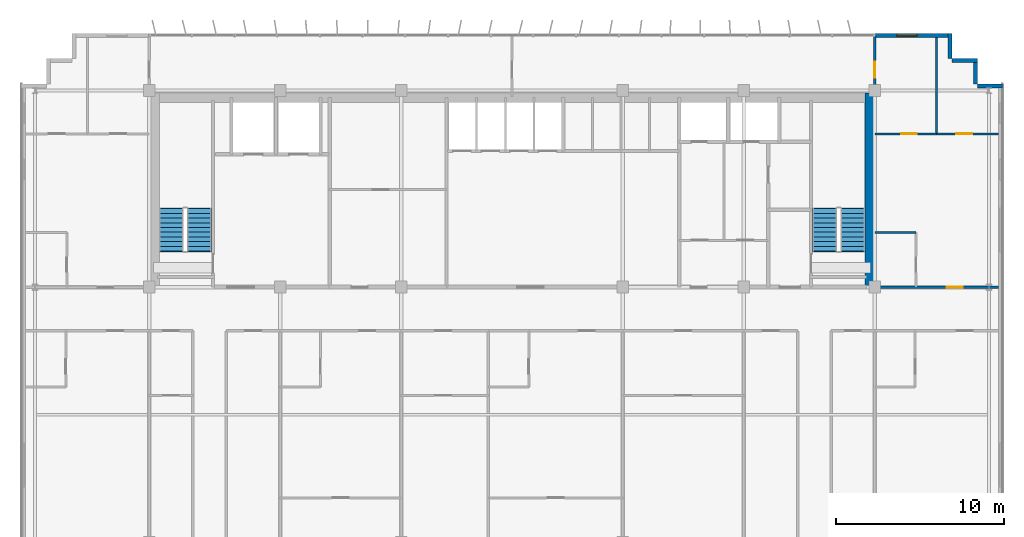
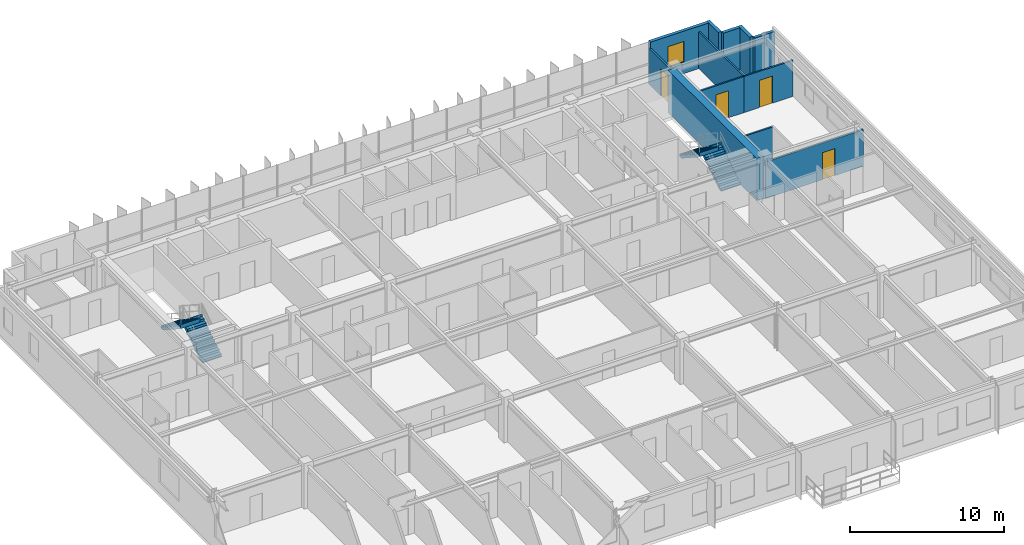
# One storey, part 21 of 23: 12 walls, 4 doors, 4 stair flights, 1 window, 5 openings, 2 elements without a shape of their own.
"""IFC4 building model written with IfcOpenShell, lengths in metres."""

import ifcopenshell
import ifcopenshell.guid

model = None  # the IFC model being written
_history = None  # IfcOwnerHistory: only IFC2X3 demands one
_inside = {}  # id of a spatial element -> (the spatial element, [elements in it])
_under = {}  # id of a project, library or spatial element -> (it, [spatial elements below it])
_declared = {}  # id of a project -> (the project, [libraries it declares])
_typed = {}  # id of a type object -> (the type object, [elements of that type])
_made_of = {}  # id of a material, layer set ... -> (it, [elements and type objects made of it])


def new_model(schema):
    """Start an empty IFC model of exactly this schema.

    Asked for "IFC4X3", IfcOpenShell would pick the latest addendum, in which some entities
    have other attributes; the version numbers below select the first issue.
    IFC2X3 requires an IfcOwnerHistory on every rooted entity: one is made here for all.
    """
    global model, _history
    if schema == "IFC4X3":
        model = ifcopenshell.file(schema_version=(4, 3, 0, 0))
    else:
        model = ifcopenshell.file(schema=schema)
    _inside.clear()
    _under.clear()
    _declared.clear()
    _typed.clear()
    _made_of.clear()
    _history = None
    if model.schema == "IFC2X3":
        org = make("IfcOrganization", Name="unknown")
        user = make(
            "IfcPersonAndOrganization",
            ThePerson=make("IfcPerson", FamilyName="unknown"),
            TheOrganization=org,
        )
        app = make(
            "IfcApplication",
            ApplicationDeveloper=org,
            Version="unknown",
            ApplicationFullName="unknown",
            ApplicationIdentifier="unknown",
        )
        _history = make(
            "IfcOwnerHistory",
            OwningUser=user,
            OwningApplication=app,
            ChangeAction="ADDED",
            CreationDate=0,
        )
    return model


def make(cls, **values):
    """One entity of the class cls with the attributes given. An attribute that is None is left unset."""
    return model.create_entity(
        cls, **{name: value for name, value in values.items() if value is not None}
    )


def rooted(cls, **values):
    """An entity with a GlobalId (a new one), such as an element, a storey or a relation."""
    return make(cls, GlobalId=ifcopenshell.guid.new(), OwnerHistory=_history, **values)


def si_unit(unit_type, name, prefix=None):
    """IfcSIUnit, for example si_unit("LENGTHUNIT", "METRE", prefix="MILLI")."""
    return make("IfcSIUnit", UnitType=unit_type, Prefix=prefix, Name=name)


def assignment(units):
    """IfcUnitAssignment: the units of a project."""
    return None if units is None else make("IfcUnitAssignment", Units=units)


def point(xyz):
    """IfcCartesianPoint."""
    return None if xyz is None else make("IfcCartesianPoint", Coordinates=xyz)


def direction(xyz):
    """IfcDirection."""
    return None if xyz is None else make("IfcDirection", DirectionRatios=xyz)


def frame(location, z_axis=None, x_axis=None):
    """IfcAxis2Placement3D, a coordinate frame: its origin and axes. An axis left out is left unset."""
    return make(
        "IfcAxis2Placement3D",
        Location=point(location),
        Axis=direction(z_axis),
        RefDirection=direction(x_axis),
    )


def frame_2d(location, x_axis=None):
    """IfcAxis2Placement2D, a coordinate frame in the plane: its origin and x axis."""
    return make(
        "IfcAxis2Placement2D", Location=point(location), RefDirection=direction(x_axis)
    )


def origin():
    """The frame at (0, 0, 0) with its axes left unset."""
    return frame((0.0, 0.0, 0.0))


def place(relative_to, where):
    """IfcLocalPlacement: puts the frame where relative to a parent placement (None: the world)."""
    return make(
        "IfcLocalPlacement", PlacementRelTo=relative_to, RelativePlacement=where
    )


def context(
    kind, dimensions, precision=None, world=None, true_north=None, identifier=None
):
    """IfcGeometricRepresentationContext, for example the 3D "Model" context."""
    return make(
        "IfcGeometricRepresentationContext",
        ContextIdentifier=identifier,
        ContextType=kind,
        CoordinateSpaceDimension=dimensions,
        Precision=precision,
        WorldCoordinateSystem=world,
        TrueNorth=true_north,
    )


def subcontext(parent, identifier, kind, view, scale=None):
    """IfcGeometricRepresentationSubContext, for example "Body" below "Model"."""
    return make(
        "IfcGeometricRepresentationSubContext",
        ContextIdentifier=identifier,
        ContextType=kind,
        ParentContext=parent,
        TargetScale=scale,
        TargetView=view,
    )


def project(units=None, contexts=None):
    """IfcProject with its units and contexts."""
    return rooted(
        "IfcProject",
        Name="project",
        RepresentationContexts=contexts,
        UnitsInContext=assignment(units),
    )


def spatial(cls, under=None, at=None, **own):
    """A site, building, storey or space (cls), placed at a placement, below another one or the project."""
    s = rooted(cls, ObjectPlacement=at, **own)
    if under is not None:
        _under.setdefault(under.id(), (under, []))[1].append(s)
    return s


def polyline(points):
    """IfcPolyline through the points."""
    return make("IfcPolyline", Points=[point(p) for p in points])


def profile(cls, at=None, kind="AREA", **sizes):
    """A parametric profile (cls). Its sizes go by their IFC names, for example OverallWidth=200.0."""
    return make(cls, ProfileType=kind, Position=at, **sizes)


def rectangle(**sizes):
    """IfcRectangleProfileDef."""
    return profile("IfcRectangleProfileDef", **sizes)


def outline(outer, holes=None, kind="AREA"):
    """IfcArbitraryClosedProfileDef: a profile drawn as a closed curve; with holes, ...WithVoids."""
    if holes is None:
        return make("IfcArbitraryClosedProfileDef", ProfileType=kind, OuterCurve=outer)
    return make(
        "IfcArbitraryProfileDefWithVoids",
        ProfileType=kind,
        OuterCurve=outer,
        InnerCurves=holes,
    )


def extrude(swept, where, along, depth):
    """IfcExtrudedAreaSolid: the profile swept, set in the frame where, extruded along a direction by depth."""
    return make(
        "IfcExtrudedAreaSolid",
        SweptArea=swept,
        Position=where,
        ExtrudedDirection=direction(along),
        Depth=depth,
    )


def shape(context_of_items, identifier, shape_type, items):
    """IfcShapeRepresentation: the items that make up one representation, for example the "Body"."""
    return make(
        "IfcShapeRepresentation",
        ContextOfItems=context_of_items,
        RepresentationIdentifier=identifier,
        RepresentationType=shape_type,
        Items=items,
    )


def source(mapping_origin, context_of_items, identifier, shape_type, items):
    """IfcRepresentationMap: a shape defined once, which mapped items show again and again."""
    return make(
        "IfcRepresentationMap",
        MappingOrigin=mapping_origin,
        MappedRepresentation=shape(context_of_items, identifier, shape_type, items),
    )


def transform(
    local_origin,
    x_axis=None,
    y_axis=None,
    z_axis=None,
    scale=None,
    scale2=None,
    scale3=None,
    uniform=True,
):
    """IfcCartesianTransformationOperator3D, or its non-uniform kind. x_axis, y_axis, z_axis: its Axis1, 2, 3."""
    if uniform:
        return make(
            "IfcCartesianTransformationOperator3D",
            Axis1=direction(x_axis),
            Axis2=direction(y_axis),
            LocalOrigin=point(local_origin),
            Scale=scale,
            Axis3=direction(z_axis),
        )
    return make(
        "IfcCartesianTransformationOperator3DnonUniform",
        Axis1=direction(x_axis),
        Axis2=direction(y_axis),
        LocalOrigin=point(local_origin),
        Scale=scale,
        Axis3=direction(z_axis),
        Scale2=scale2,
        Scale3=scale3,
    )


def mapped(mapping_source, mapping_target):
    """IfcMappedItem: shows the shape of a source again, moved by a transform."""
    return make(
        "IfcMappedItem", MappingSource=mapping_source, MappingTarget=mapping_target
    )


def material(Name=None, Category=None):
    """IfcMaterial."""
    return make("IfcMaterial", Name=Name, Category=Category)


def layer(
    of_material, thickness, ventilated=None, Name=None, Category=None, Priority=None
):
    """IfcMaterialLayer: one layer of a wall or slab, of a material (None: an air gap)."""
    return make(
        "IfcMaterialLayer",
        Material=of_material,
        LayerThickness=thickness,
        IsVentilated=ventilated,
        Name=Name,
        Category=Category,
        Priority=Priority,
    )


def layer_set(layers, Name=None):
    """IfcMaterialLayerSet."""
    return make("IfcMaterialLayerSet", MaterialLayers=layers, LayerSetName=Name)


def made_of(thing, what):
    """Note that an element or type object is made of a material, layer set ...; save() writes the relation."""
    if what is not None:
        _made_of.setdefault(what.id(), (what, []))[1].append(thing)
    return thing


def type_object(cls, material=None, **own):
    """A type object (cls), such as IfcWallType, which elements share."""
    return made_of(rooted(cls, **own), material)


def element(
    cls,
    number,
    at=None,
    inside=None,
    cuts=None,
    type_object=None,
    material=None,
    context=None,
    identifier="Body",
    shape_type=None,
    held_by="IfcProductDefinitionShape",
    body=None,
    shapes=None,
    **own,
):
    """One element of the class cls, such as IfcWall. Its Tag is "e" and its number.

    at: its placement. inside: the storey or other place that contains it. cuts: it is an
    opening in that element (IfcRelVoidsElement). A single representation is given by context,
    identifier, shape_type and body (its items); several are given by shapes. held_by: the class
    of the entity that holds the representations. save() writes the other relations.
    """
    e = rooted(cls, Tag="e%d" % number, ObjectPlacement=at, **own)
    if body is not None:
        shapes = [shape(context, identifier, shape_type, body)]
    if shapes is not None:
        e.Representation = make(held_by, Representations=shapes)
    if inside is not None:
        _inside.setdefault(inside.id(), (inside, []))[1].append(e)
    if cuts is not None:
        rooted(
            "IfcRelVoidsElement", RelatingBuildingElement=cuts, RelatedOpeningElement=e
        )
    if type_object is not None:
        _typed.setdefault(type_object.id(), (type_object, []))[1].append(e)
    return made_of(e, material)


def fill(opening, filler):
    """IfcRelFillsElement: the door or window that sits in an opening."""
    return rooted(
        "IfcRelFillsElement",
        RelatingOpeningElement=opening,
        RelatedBuildingElement=filler,
    )


def aggregate(whole, parts):
    """IfcRelAggregates: a whole, such as a stair, and the parts it consists of."""
    return rooted("IfcRelAggregates", RelatingObject=whole, RelatedObjects=parts)


def save(model, path):
    """Write the relations noted so far, then the file.

    IfcRelAggregates (storeys below a building ...), IfcRelContainedInSpatialStructure (elements
    in a storey), IfcRelDefinesByType, IfcRelAssociatesMaterial and IfcRelDeclares: one each for
    every whole, place, type object, material and project.
    """
    for whole, parts in _under.values():
        aggregate(whole, parts)
    for where, things in _inside.values():
        rooted(
            "IfcRelContainedInSpatialStructure",
            RelatedElements=things,
            RelatingStructure=where,
        )
    for kind, things in _typed.values():
        rooted("IfcRelDefinesByType", RelatedObjects=things, RelatingType=kind)
    for what, things in _made_of.values():
        rooted("IfcRelAssociatesMaterial", RelatedObjects=things, RelatingMaterial=what)
    for by, libraries in _declared.values():
        rooted("IfcRelDeclares", RelatingContext=by, RelatedDefinitions=libraries)
    model.write(path)


model = new_model("IFC4")

# Units and contexts
model_context = context("Model", 3, precision=1e-05, world=origin(), true_north=direction((0.0, 1.0)))
body_context = subcontext(model_context, "Body", "Model", "MODEL_VIEW")
ifc_project = project(units=[si_unit("LENGTHUNIT", "METRE"), si_unit("AREAUNIT", "SQUARE_METRE"), si_unit("VOLUMEUNIT", "CUBIC_METRE"), si_unit("PLANEANGLEUNIT", "RADIAN"), si_unit("MASSUNIT", "GRAM", prefix="KILO")], contexts=[model_context])

# Site, building, storey
site_placement = place(None, origin())
site = spatial("IfcSite", under=ifc_project, at=site_placement, CompositionType="ELEMENT")
building_placement = place(site_placement, origin())
building = spatial("IfcBuilding", under=site, at=building_placement, Name="Trelvane Seafront Commons", CompositionType="ELEMENT")
storey_placement = place(building_placement, frame((0.0, 0.0, 208.5)))
storey = spatial("IfcBuildingStorey", under=building, at=storey_placement, Name="L54", CompositionType="ELEMENT", Elevation=208.5)

# Wall, opening, window
ifc_material_1 = material(Name="Precast concrete C40/50", Category="concrete")
ifc_layer_1 = layer(ifc_material_1, 0.239990234375, Name="ARCH-WALL-EXT240")
ifc_layer_set_1 = layer_set([ifc_layer_1], Name="Precast concrete C40/50")
wall_type_1 = type_object("IfcWallType", Name="ARCH-WALL-EXT240", PredefinedType="SOLIDWALL", material=ifc_layer_set_1)
wall_1_placement = place(storey_placement, frame((58.800048828125, 48.3701171875, 0.0), z_axis=(0.0, 0.0, 1.0), x_axis=(1.0, 0.0, 0.0)))
wall_1 = element("IfcWall", 1, at=wall_1_placement, inside=storey, type_object=wall_type_1, Name="EW-L54-NE-1079", PredefinedType="SOLIDWALL", context=body_context, shape_type="SweptSolid", body=[
    extrude(rectangle(XDim=4.5, YDim=0.239990234375, at=frame_2d((2.25, 0.0))), origin(), (0.0, 0.0, 1.0), 3.360107421875),
])
opening_1_placement = place(wall_1_placement, frame((1.318115234375, 0.0, 0.89990234375)))
opening_1 = element("IfcOpeningElement", 2, at=opening_1_placement, cuts=wall_1, Name="Opening W05", PredefinedType="OPENING", context=body_context, shape_type="SweptSolid", body=[
    extrude(rectangle(XDim=1.199951171875, YDim=1.64990234375, at=frame_2d((0.60009765625, 0.824951171875))), frame((0.0, 0.1298828125, 0.0), z_axis=(0.0, -1.0, 0.0), x_axis=(1.0, 0.0, 0.0)), (0.0, 0.0, 1.0), 0.260009765625),
])
ifc_material_2 = material(Name="Low-E coastal double glazing", Category="glass")
window_type = type_object("IfcWindowType", Name="ARCH-WIN-W05", PartitioningType="SINGLE_PANEL", PredefinedType="WINDOW", material=ifc_material_2)
shared_shape_1 = source(origin(), body_context, "Body", "SweptSolid", [
    extrude(rectangle(XDim=1.199951171875, YDim=1.64990234375, at=frame_2d((0.60009765625, 0.824951171875))), frame((0.0, 0.030029296875, 0.0), z_axis=(0.0, -1.0, 0.0), x_axis=(1.0, 0.0, 0.0)), (0.0, 0.0, 1.0), 0.06005859375),
])
window_placement = place(opening_1_placement, origin())
window = element("IfcWindow", 3, at=window_placement, inside=storey, type_object=window_type, Name="WIN-L54-01301", OverallHeight=1.64990234375, OverallWidth=1.199951171875, PartitioningType="SINGLE_PANEL", PredefinedType="WINDOW", context=body_context, shape_type="MappedRepresentation", body=[
    mapped(shared_shape_1, transform((0.0, 0.0, 0.0), x_axis=(1.0, 0.0, 0.0), y_axis=(0.0, 1.0, 0.0), z_axis=(0.0, 0.0, 1.0), scale=1.0)),
])
fill(opening_1, window)

# Walls
for number, where, z_axis, x_axis, name in (
    (4, (63.280029296875, 48.5, 0.0), (0.0, 0.0, 1.0), (0.0, -1.0, 0.0), "EW-L54-01088"),
    (5, (63.39990234375, 46.8798828125, 0.0), (0.0, 0.0, 1.0), (1.0, 0.0, 0.0), "EW-L54-01089"),
    (6, (64.780029296875, 47.0, 0.0), (0.0, 0.0, 1.0), (0.0, -1.0, 0.0), "EW-L54-01090"),
    (7, (64.89990234375, 45.3798828125, 0.0), (0.0, 0.0, 1.0), (1.0, 0.0, 0.0), "EW-L54-01091"),
):
    element("IfcWall", number, at=place(storey_placement, frame(where, z_axis=z_axis, x_axis=x_axis)), inside=storey, type_object=wall_type_1, Name=name, PredefinedType="SOLIDWALL", context=body_context, shape_type="SweptSolid", body=[
        extrude(rectangle(XDim=1.5, YDim=0.239990234375, at=frame_2d((0.75, 0.0))), origin(), (0.0, 0.0, 1.0), 3.360107421875),
    ])
ifc_material_3 = material(Name="Gypsum Drywall Acoustic Partition")
ifc_layer_2 = layer(ifc_material_3, 0.1201171875, Name="ARCH-WALL-PART120")
ifc_layer_set_2 = layer_set([ifc_layer_2], Name="Gypsum Drywall Acoustic Partition")
wall_type_2 = type_object("IfcWallType", Name="ARCH-WALL-PART120", PredefinedType="PARTITIONING", material=ifc_layer_set_2)
wall_2_placement = place(storey_placement, frame((58.800048828125, 36.64990234375, 0.0), z_axis=(0.0, 0.0, 1.0), x_axis=(1.0, 0.0, 0.0)))
element("IfcWall", 8, at=wall_2_placement, inside=storey, type_object=wall_type_2, Name="W-L54-NE-BN-043", PredefinedType="PARTITIONING", context=body_context, shape_type="SweptSolid", body=[
    extrude(rectangle(XDim=2.449951171875, YDim=0.1201171875, at=frame_2d((1.22509765625, 0.0))), origin(), (0.0, 0.0, 1.0), 2.860107421875),
])

# Wall, opening, door
wall_3_placement = place(storey_placement, frame((58.800048828125, 42.52001953125, 0.0), z_axis=(0.0, 0.0, 1.0), x_axis=(1.0, 0.0, 0.0)))
wall_3 = element("IfcWall", 9, at=wall_3_placement, inside=storey, type_object=wall_type_2, Name="W-L54-NE-KB1-044", PredefinedType="PARTITIONING", context=body_context, shape_type="SweptSolid", body=[
    extrude(rectangle(XDim=3.675048828125, YDim=0.1201171875, at=frame_2d((1.83740234375, 0.0))), origin(), (0.0, 0.0, 1.0), 2.860107421875),
])
opening_2_placement = place(wall_3_placement, frame((1.55908203125, 0.0, 0.0)))
opening_2 = element("IfcOpeningElement", 10, at=opening_2_placement, cuts=wall_3, Name="Opening D-L54-25", PredefinedType="OPENING", context=body_context, shape_type="SweptSolid", body=[
    extrude(rectangle(XDim=0.949951171875, YDim=2.14990234375, at=frame_2d((0.47509765625, 1.074951171875))), frame((0.0, 0.070068359375, 0.0), z_axis=(0.0, -1.0, 0.0), x_axis=(1.0, 0.0, 0.0)), (0.0, 0.0, 1.0), 0.14013671875),
])
ifc_material_4 = material(Name="Acoustic timber door leaf", Category="wood")
door_type_1 = type_object("IfcDoorType", Name="ARCH-DR-INT950", OperationType="NOTDEFINED", PredefinedType="DOOR", material=ifc_material_4)
shared_shape_2 = source(origin(), body_context, "Body", "SweptSolid", [
    extrude(rectangle(XDim=0.949951171875, YDim=2.14990234375, at=frame_2d((0.47509765625, 1.074951171875))), frame((0.0, 0.02490234375, 0.0), z_axis=(0.0, -1.0, 0.0), x_axis=(1.0, 0.0, 0.0)), (0.0, 0.0, 1.0), 0.050048828125),
])
door_1_placement = place(opening_2_placement, origin())
door_1 = element("IfcDoor", 11, at=door_1_placement, inside=storey, type_object=door_type_1, Name="L54 Door 25", OperationType="SINGLE_SWING_LEFT", OverallHeight=2.14990234375, OverallWidth=0.949951171875, PredefinedType="DOOR", context=body_context, shape_type="MappedRepresentation", body=[
    mapped(shared_shape_2, transform((0.0, 0.0, 0.0), x_axis=(1.0, 0.0, 0.0), y_axis=(0.0, 1.0, 0.0), z_axis=(0.0, 0.0, 1.0), scale=1.0)),
])
fill(opening_2, door_1)

wall_4_placement = place(storey_placement, frame((62.47509765625, 42.52001953125, 0.0), z_axis=(0.0, 0.0, 1.0), x_axis=(1.0, 0.0, 0.0)))
wall_4 = element("IfcWall", 12, at=wall_4_placement, inside=storey, type_object=wall_type_2, Name="W-L54-NE-KB2-045", PredefinedType="PARTITIONING", context=body_context, shape_type="SweptSolid", body=[
    extrude(rectangle(XDim=3.6748046875, YDim=0.1201171875, at=frame_2d((1.83740234375, 0.0))), origin(), (0.0, 0.0, 1.0), 2.860107421875),
])
opening_3_placement = place(wall_4_placement, frame((1.166015625, 0.0, 0.0)))
opening_3 = element("IfcOpeningElement", 13, at=opening_3_placement, cuts=wall_4, Name="Opening D-L54-26", PredefinedType="OPENING", context=body_context, shape_type="SweptSolid", body=[
    extrude(rectangle(XDim=0.949951171875, YDim=2.14990234375, at=frame_2d((0.47509765625, 1.074951171875))), frame((0.0, 0.070068359375, 0.0), z_axis=(0.0, -1.0, 0.0), x_axis=(1.0, 0.0, 0.0)), (0.0, 0.0, 1.0), 0.14013671875),
])
door_2_placement = place(opening_3_placement, origin())
door_2 = element("IfcDoor", 14, at=door_2_placement, inside=storey, type_object=door_type_1, Name="L54 Door 26", OperationType="SINGLE_SWING_RIGHT", OverallHeight=2.14990234375, OverallWidth=0.949951171875, PredefinedType="DOOR", context=body_context, shape_type="MappedRepresentation", body=[
    mapped(shared_shape_2, transform((0.0, 0.0, 0.0), x_axis=(1.0, 0.0, 0.0), y_axis=(0.0, 1.0, 0.0), z_axis=(0.0, 0.0, 1.0), scale=1.0)),
])
fill(opening_3, door_2)

# Wall
wall_5_placement = place(storey_placement, frame((62.47509765625, 42.52001953125, 0.0), z_axis=(0.0, 0.0, 1.0), x_axis=(0.0, 1.0, 0.0)))
element("IfcWall", 15, at=wall_5_placement, inside=storey, type_object=wall_type_2, Name="W-L54-NE-KBDV-046", PredefinedType="PARTITIONING", context=body_context, shape_type="SweptSolid", body=[
    extrude(rectangle(XDim=5.739990234375, YDim=0.1201171875, at=frame_2d((2.8701171875, 0.0))), origin(), (0.0, 0.0, 1.0), 2.909912109375),
])

# Wall, opening, door
ifc_layer_3 = layer(ifc_material_3, 0.14990234375, Name="ARCH-WALL-PART150")
ifc_layer_set_3 = layer_set([ifc_layer_3], Name="Gypsum Drywall Acoustic Partition")
wall_type_3 = type_object("IfcWallType", Name="ARCH-WALL-PART150", PredefinedType="PARTITIONING", material=ifc_layer_set_3)
wall_6_placement = place(storey_placement, frame((58.800048828125, 33.39990234375, 0.0), z_axis=(0.0, 0.0, 1.0), x_axis=(1.0, 0.0, 0.0)))
wall_6 = element("IfcWall", 16, at=wall_6_placement, inside=storey, type_object=wall_type_3, Name="W-L54-NE-ENT-047", PredefinedType="PARTITIONING", context=body_context, shape_type="SweptSolid", body=[
    extrude(rectangle(XDim=7.349853515625, YDim=0.14990234375, at=frame_2d((3.6748046875, 0.0))), origin(), (0.0, 0.0, 1.0), 2.909912109375),
])
opening_4_placement = place(wall_6_placement, frame((4.27490234375, 0.0, 0.0)))
opening_4 = element("IfcOpeningElement", 17, at=opening_4_placement, cuts=wall_6, Name="Opening FD-L54-27", PredefinedType="OPENING", context=body_context, shape_type="SweptSolid", body=[
    extrude(rectangle(XDim=0.949951171875, YDim=2.14990234375, at=frame_2d((0.47509765625, 1.074951171875))), frame((0.0, 0.0849609375, 0.0), z_axis=(0.0, -1.0, 0.0), x_axis=(1.0, 0.0, 0.0)), (0.0, 0.0, 1.0), 0.169921875),
])
ifc_material_5 = material(Name="Powder-coated aluminium frame", Category="aluminium")
door_type_2 = type_object("IfcDoorType", Name="ARCH-DR-FD60-950", OperationType="NOTDEFINED", PredefinedType="DOOR", material=ifc_material_5)
door_3_placement = place(opening_4_placement, origin())
door_3 = element("IfcDoor", 18, at=door_3_placement, inside=storey, type_object=door_type_2, Name="L54 NE Flat Entrance Door", OperationType="SINGLE_SWING_LEFT", OverallHeight=2.14990234375, OverallWidth=0.949951171875, PredefinedType="DOOR", context=body_context, shape_type="MappedRepresentation", body=[
    mapped(shared_shape_2, transform((0.0, 0.0, 0.0), x_axis=(1.0, 0.0, 0.0), y_axis=(0.0, 1.0, 0.0), z_axis=(0.0, 0.0, 1.0), scale=1.0)),
])
fill(opening_4, door_3)

wall_7_placement = place(storey_placement, frame((58.800048828125, 44.75, 0.0), z_axis=(0.0, 0.0, 1.0), x_axis=(0.0, 1.0, 0.0)))
wall_7 = element("IfcWall", 19, at=wall_7_placement, inside=storey, type_object=wall_type_3, Name="W-L54-N-LINK-E-050", PredefinedType="PARTITIONING", context=body_context, shape_type="SweptSolid", body=[
    extrude(rectangle(XDim=3.610107421875, YDim=0.14990234375, at=frame_2d((1.80517578125, 0.0))), origin(), (0.0, 0.0, 1.0), 2.860107421875),
])
opening_5_placement = place(wall_7_placement, frame((1.10009765625, 0.0, 0.0)))
opening_5 = element("IfcOpeningElement", 20, at=opening_5_placement, cuts=wall_7, Name="Opening FD-L54-30", PredefinedType="OPENING", context=body_context, shape_type="SweptSolid", body=[
    extrude(rectangle(XDim=0.949951171875, YDim=2.14990234375, at=frame_2d((0.47509765625, 1.074951171875))), frame((0.0, 0.0849609375, 0.0), z_axis=(0.0, -1.0, 0.0), x_axis=(1.0, 0.0, 0.0)), (0.0, 0.0, 1.0), 0.169921875),
])
door_4_placement = place(opening_5_placement, origin())
door_4 = element("IfcDoor", 21, at=door_4_placement, inside=storey, type_object=door_type_2, Name="L54 Door 30", OperationType="SINGLE_SWING_RIGHT", OverallHeight=2.14990234375, OverallWidth=0.949951171875, PredefinedType="DOOR", context=body_context, shape_type="MappedRepresentation", body=[
    mapped(shared_shape_2, transform((0.0, 0.0, 0.0), x_axis=(1.0, 0.0, 0.0), y_axis=(0.0, 1.0, 0.0), z_axis=(0.0, 0.0, 1.0), scale=1.0)),
])
fill(opening_5, door_4)

# Wall
ifc_material_6 = material(Name="Concrete C50/60", Category="concrete")
ifc_layer_4 = layer(ifc_material_6, 0.550048828125, Name="STR-WALL-CORE550")
ifc_layer_set_4 = layer_set([ifc_layer_4], Name="Concrete C50/60")
wall_type_4 = type_object("IfcWallType", Name="STR-WALL-CORE550", PredefinedType="SHEAR", material=ifc_layer_set_4)
wall_8_placement = place(storey_placement, frame((58.47509765625, 33.39990234375, 0.0), z_axis=(0.0, 0.0, 1.0), x_axis=(0.0, 1.0, 0.0)))
element("IfcWall", 22, at=wall_8_placement, inside=storey, type_object=wall_type_4, Name="W-L54-CE-END-003", PredefinedType="SHEAR", context=body_context, shape_type="SweptSolid", body=[
    extrude(rectangle(XDim=11.550048828125, YDim=0.550048828125, at=frame_2d((5.77490234375, 0.0))), origin(), (0.0, 0.0, 1.0), 3.360107421875),
])

# Stair, stair flights
ifc_material_7 = material(Name="Concrete C40/50", Category="concrete")
stair_type_1 = type_object("IfcStairType", Name="ARCH-STR-ST-1-R20-180", PredefinedType="HALF_TURN_STAIR", material=ifc_material_7)
stair_1_placement = place(storey_placement, origin())
stair_1 = element("IfcStair", 23, at=stair_1_placement, inside=storey, type_object=stair_type_1, Name="L54 West Protected Firefighting Exit Stair ST-1", PredefinedType="HALF_TURN_STAIR")
stair_flight_type_1 = type_object("IfcStairFlightType", Name="ARCH-FLG-ST-1-R20-180", PredefinedType="STRAIGHT", material=ifc_material_7)
shared_shape_3 = source(origin(), body_context, "Body", "SweptSolid", [
    extrude(outline(polyline([(-0.050048828125, -0.02001953125), (-0.050048828125, 0.0), (0.0, 0.0), (0.0, 0.179931640625), (0.280029296875, 0.179931640625), (0.280029296875, 0.360107421875), (0.56005859375, 0.360107421875), (0.56005859375, 0.5400390625), (0.840087890625, 0.5400390625), (0.840087890625, 0.719970703125), (1.1201171875, 0.719970703125), (1.1201171875, 0.89990234375), (1.39990234375, 0.89990234375), (1.39990234375, 1.080078125), (1.679931640625, 1.080078125), (1.679931640625, 1.260009765625), (1.9599609375, 1.260009765625), (1.9599609375, 1.43994140625), (2.239990234375, 1.43994140625), (2.239990234375, 1.6201171875), (2.52001953125, 1.6201171875), (2.52001953125, 1.800048828125), (2.570068359375, 1.800048828125), (2.570068359375, 1.650146484375), (2.52001953125, 1.44189453125), (0.277099609375, -0.02001953125), (-0.050048828125, -0.02001953125)])), frame((0.0, 0.72509765625, 0.0), z_axis=(0.0, -1.0, 0.0), x_axis=(1.0, 0.0, 0.0)), (0.0, 0.0, 1.0), 1.449951171875),
])
stair_flight_1_placement = place(storey_placement, frame((18.574951171875, 35.550048828125, 0.0), z_axis=(0.0, 0.0, 1.0), x_axis=(0.0, 1.0, 0.0)))
stair_flight_1 = element("IfcStairFlight", 24, at=stair_flight_1_placement, type_object=stair_flight_type_1, Name="ST-1 flight 1", NumberOfRisers=10, NumberOfTreads=9, PredefinedType="STRAIGHT", RiserHeight=0.18, TreadLength=0.28, context=body_context, shape_type="MappedRepresentation", body=[
    mapped(shared_shape_3, transform((0.0, 0.0, 0.0), x_axis=(1.0, 0.0, 0.0), y_axis=(0.0, 1.0, 0.0), z_axis=(0.0, 0.0, 1.0), scale=1.0)),
])
stair_flight_2_placement = place(storey_placement, frame((16.925048828125, 38.070068359375, 1.800048828125), z_axis=(0.0, 0.0, 1.0), x_axis=(0.0, -1.0, 0.0)))
stair_flight_2 = element("IfcStairFlight", 25, at=stair_flight_2_placement, type_object=stair_flight_type_1, Name="ST-1 flight 2", NumberOfRisers=10, NumberOfTreads=9, PredefinedType="STRAIGHT", RiserHeight=0.18, TreadLength=0.28, context=body_context, shape_type="MappedRepresentation", body=[
    mapped(shared_shape_3, transform((0.0, 0.0, 0.0), x_axis=(1.0, 0.0, 0.0), y_axis=(0.0, 1.0, 0.0), z_axis=(0.0, 0.0, 1.0), scale=1.0)),
])
aggregate(stair_1, [stair_flight_1, stair_flight_2])

stair_type_2 = type_object("IfcStairType", Name="ARCH-STR-ST-2-R20-180", PredefinedType="HALF_TURN_STAIR", material=ifc_material_7)
stair_2_placement = place(storey_placement, origin())
stair_2 = element("IfcStair", 26, at=stair_2_placement, inside=storey, type_object=stair_type_2, Name="L54 East Protected Firefighting Exit Stair ST-2", PredefinedType="HALF_TURN_STAIR")
stair_flight_type_2 = type_object("IfcStairFlightType", Name="ARCH-FLG-ST-2-R20-180", PredefinedType="STRAIGHT", material=ifc_material_7)
stair_flight_3_placement = place(storey_placement, frame((57.47509765625, 35.550048828125, 0.0), z_axis=(0.0, 0.0, 1.0), x_axis=(0.0, 1.0, 0.0)))
stair_flight_3 = element("IfcStairFlight", 27, at=stair_flight_3_placement, type_object=stair_flight_type_2, Name="ST-2 flight 1", NumberOfRisers=10, NumberOfTreads=9, PredefinedType="STRAIGHT", RiserHeight=0.18, TreadLength=0.28, context=body_context, shape_type="MappedRepresentation", body=[
    mapped(shared_shape_3, transform((0.0, 0.0, 0.0), x_axis=(1.0, 0.0, 0.0), y_axis=(0.0, 1.0, 0.0), z_axis=(0.0, 0.0, 1.0), scale=1.0)),
])
stair_flight_4_placement = place(storey_placement, frame((55.824951171875, 38.070068359375, 1.800048828125), z_axis=(0.0, 0.0, 1.0), x_axis=(0.0, -1.0, 0.0)))
stair_flight_4 = element("IfcStairFlight", 28, at=stair_flight_4_placement, type_object=stair_flight_type_2, Name="ST-2 flight 2", NumberOfRisers=10, NumberOfTreads=9, PredefinedType="STRAIGHT", RiserHeight=0.18, TreadLength=0.28, context=body_context, shape_type="MappedRepresentation", body=[
    mapped(shared_shape_3, transform((0.0, 0.0, 0.0), x_axis=(1.0, 0.0, 0.0), y_axis=(0.0, 1.0, 0.0), z_axis=(0.0, 0.0, 1.0), scale=1.0)),
])
aggregate(stair_2, [stair_flight_3, stair_flight_4])

save(model, "model.ifc")
